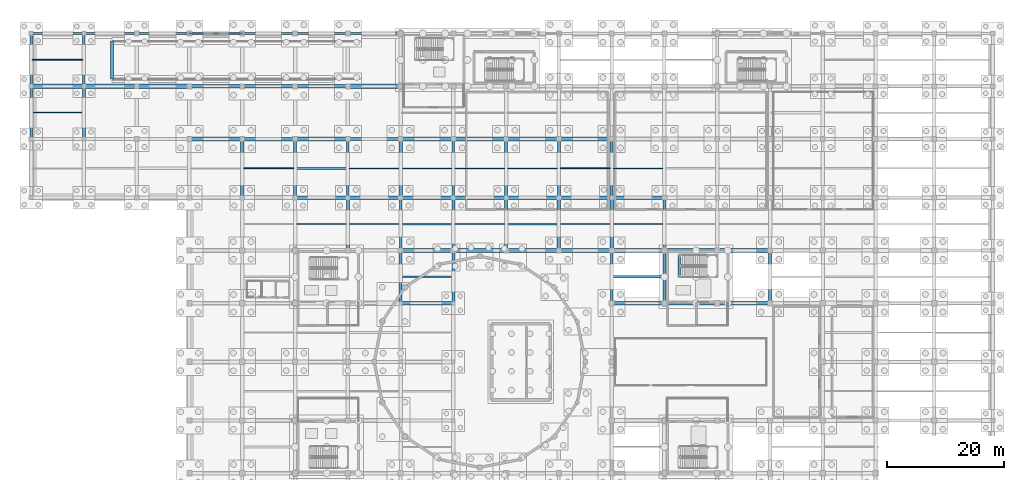
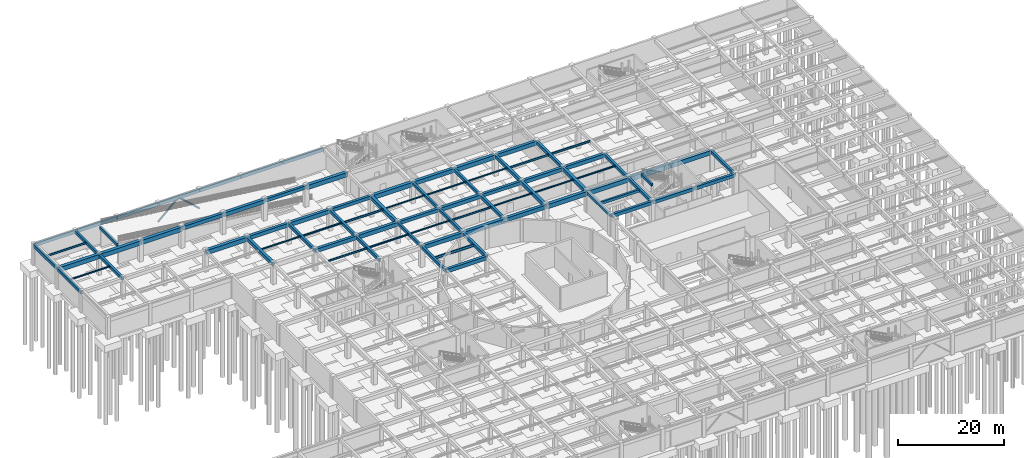
# One storey, part 31 of 62: 85 beams, 2 members.
"""IFC4 building model written with IfcOpenShell, lengths in metres."""

from ifc_helpers import new_model, si_unit, direction, frame, origin, origin_2d, place, context, subcontext, project, spatial, rectangle, hollow_circle, i_section, extrude, material, material_profile, profile_set, type_object, element, save


model = new_model("IFC4")

# Units and contexts
model_context = context("Model", 3, precision=1e-05, world=origin(), true_north=direction((0.0, 1.0)))
body_context = subcontext(model_context, "Body", "Model", "MODEL_VIEW")
ifc_project = project(units=[si_unit("LENGTHUNIT", "METRE"), si_unit("AREAUNIT", "SQUARE_METRE"), si_unit("VOLUMEUNIT", "CUBIC_METRE"), si_unit("PLANEANGLEUNIT", "RADIAN"), si_unit("MASSUNIT", "GRAM", prefix="KILO")], contexts=[model_context])

# Site, building, storey
site_placement = place(None, origin())
site = spatial("IfcSite", under=ifc_project, at=site_placement, CompositionType="ELEMENT")
building_placement = place(site_placement, origin())
building = spatial("IfcBuilding", under=site, at=building_placement, Name="Miravela Opera House", CompositionType="ELEMENT")
storey_placement = place(building_placement, frame((0.0, 0.0, -5.10009765625)))
storey = spatial("IfcBuildingStorey", under=building, at=storey_placement, Name="B01", CompositionType="ELEMENT", Elevation=-5.10009765625)

# Beams
ifc_material_1 = material(Name="Concrete C35/45", Category="concrete")
ifc_material_profile_1 = material_profile(ifc_material_1, rectangle(XDim=0.39990234375, YDim=0.60009765625, at=origin_2d()), Name="RC-BM-400X600")
ifc_profile_set_1 = profile_set([ifc_material_profile_1])
beam_type_1 = type_object("IfcBeamType", Name="STR-BM-RC400X600", PredefinedType="JOIST", material=ifc_profile_set_1)
beam_1_placement = place(storey_placement, frame((99.2099609375, 70.5, 4.47998046875), z_axis=(1.0, 0.0, 0.0), x_axis=(0.0, 1.0, 0.0)))
element("IfcBeam", 1, at=beam_1_placement, inside=storey, type_object=beam_type_1, Name="Secondary Floor Joist B01 12-13/H-I", PredefinedType="JOIST", context=body_context, shape_type="SweptSolid", body=[
    extrude(rectangle(XDim=0.39990234375, YDim=0.60009765625, at=origin_2d()), origin(), (0.0, 0.0, 1.0), 8.554931640625),
])
beam_2_placement = place(storey_placement, frame((110.5400390625, 70.39990234375, 4.800048828125), z_axis=(0.0, 1.0, 0.0), x_axis=(-1.0, 0.0, 0.0)))
element("IfcBeam", 2, at=beam_2_placement, inside=storey, type_object=beam_type_1, Name="Stair K3 Opening Header Trimmer Beam 00", PredefinedType="JOIST", context=body_context, shape_type="SweptSolid", body=[
    extrude(rectangle(XDim=0.39990234375, YDim=0.60009765625, at=origin_2d()), origin(), (0.0, 0.0, 1.0), 3.880126953125),
])
ifc_material_profile_2 = material_profile(ifc_material_1, rectangle(XDim=0.449951171875, YDim=0.64990234375, at=origin_2d()), Name="RC-BM-450X650")
ifc_profile_set_2 = profile_set([ifc_material_profile_2])
beam_type_2 = type_object("IfcBeamType", Name="STR-BM-RC450X650", PredefinedType="BEAM", material=ifc_profile_set_2)
for number, where, z_axis, x_axis, name in (
    (3, (9.0, 103.080078125, 4.4951171875), (0.0, 1.0, 0.0), (-1.0, 0.0, 0.0), "Floor Girder B01 2/L-M"),
    (4, (63.0, 75.080078125, 4.4951171875), (0.0, 1.0, 0.0), (-1.0, 0.0, 0.0), "Floor Girder B01 8/I-J"),
):
    element("IfcBeam", number, at=place(storey_placement, frame(where, z_axis=z_axis, x_axis=x_axis)), inside=storey, type_object=beam_type_2, Name=name, PredefinedType="BEAM", context=body_context, shape_type="SweptSolid", body=[
        extrude(rectangle(XDim=0.449951171875, YDim=0.64990234375, at=origin_2d()), origin(), (0.0, 0.0, 1.0), 8.83984375),
    ])
beam_3_placement = place(storey_placement, frame((72.0, 84.080078125, 4.4951171875), z_axis=(0.0, 1.0, 0.0), x_axis=(-1.0, 0.0, 0.0)))
element("IfcBeam", 5, at=beam_3_placement, inside=storey, type_object=beam_type_2, Name="Floor Girder B01 9/J-K", PredefinedType="BEAM", context=body_context, shape_type="SweptSolid", body=[
    extrude(rectangle(XDim=0.449951171875, YDim=0.64990234375, at=origin_2d()), origin(), (0.0, 0.0, 1.0), 9.83984375),
])
beam_4_placement = place(storey_placement, frame((99.0, 66.080078125, 4.455078125), z_axis=(0.0, 1.0, 0.0), x_axis=(-1.0, 0.0, 0.0)))
element("IfcBeam", 6, at=beam_4_placement, inside=storey, type_object=beam_type_2, Name="Floor Girder B01 12/H-I", PredefinedType="BEAM", context=body_context, shape_type="SweptSolid", body=[
    extrude(rectangle(XDim=0.449951171875, YDim=0.64990234375, at=origin_2d()), origin(), (0.0, 0.0, 1.0), 8.83984375),
])
ifc_material_profile_3 = material_profile(ifc_material_1, rectangle(XDim=0.47998046875, YDim=0.679931640625, at=origin_2d()), Name="RC-BM-480X680")
ifc_profile_set_3 = profile_set([ifc_material_profile_3])
beam_type_3 = type_object("IfcBeamType", Name="STR-BM-RC480X680", PredefinedType="BEAM", material=ifc_profile_set_3)
beam_5_placement = place(storey_placement, frame((9.0, 94.080078125, 4.47998046875), z_axis=(0.0, 1.0, 0.0), x_axis=(-1.0, 0.0, 0.0)))
element("IfcBeam", 7, at=beam_5_placement, inside=storey, type_object=beam_type_3, Name="Floor Girder B01 2/K-L", PredefinedType="BEAM", context=body_context, shape_type="SweptSolid", body=[
    extrude(rectangle(XDim=0.47998046875, YDim=0.679931640625, at=origin_2d()), origin(), (0.0, 0.0, 1.0), 8.83984375),
])
for number, where, z_axis, x_axis, name in (
    (8, (45.0, 84.080078125, 4.489990234375), (0.0, 1.0, 0.0), (-1.0, 0.0, 0.0), "Floor Girder B01 6/J-K"),
    (9, (54.0, 84.080078125, 4.489990234375), (0.0, 1.0, 0.0), (-1.0, 0.0, 0.0), "Floor Girder B01 7/J-K"),
):
    element("IfcBeam", number, at=place(storey_placement, frame(where, z_axis=z_axis, x_axis=x_axis)), inside=storey, type_object=beam_type_3, Name=name, PredefinedType="BEAM", context=body_context, shape_type="SweptSolid", body=[
        extrude(rectangle(XDim=0.47998046875, YDim=0.679931640625, at=origin_2d()), origin(), (0.0, 0.0, 1.0), 9.83984375),
    ])
for number, where, z_axis, x_axis, name in (
    (10, (63.0, 66.080078125, 4.47998046875), (0.0, 1.0, 0.0), (-1.0, 0.0, 0.0), "Floor Girder B01 8/H-I"),
    (11, (72.0, 75.080078125, 4.47998046875), (0.0, 1.0, 0.0), (-1.0, 0.0, 0.0), "Floor Girder B01 9/I-J"),
):
    element("IfcBeam", number, at=place(storey_placement, frame(where, z_axis=z_axis, x_axis=x_axis)), inside=storey, type_object=beam_type_3, Name=name, PredefinedType="BEAM", context=body_context, shape_type="SweptSolid", body=[
        extrude(rectangle(XDim=0.47998046875, YDim=0.679931640625, at=origin_2d()), origin(), (0.0, 0.0, 1.0), 8.83984375),
    ])
beam_6_placement = place(storey_placement, frame((81.0, 84.080078125, 4.47998046875), z_axis=(0.0, 1.0, 0.0), x_axis=(-1.0, 0.0, 0.0)))
element("IfcBeam", 12, at=beam_6_placement, inside=storey, type_object=beam_type_3, Name="Floor Girder B01 10/J-K", PredefinedType="BEAM", context=body_context, shape_type="SweptSolid", body=[
    extrude(rectangle(XDim=0.47998046875, YDim=0.679931640625, at=origin_2d()), origin(), (0.0, 0.0, 1.0), 9.83984375),
])
for number, where, z_axis, x_axis, name in (
    (13, (108.0, 75.080078125, 4.47998046875), (0.0, 1.0, 0.0), (-1.0, 0.0, 0.0), "Floor Girder B01 13/I-J"),
    (14, (126.0, 66.080078125, 4.440185546875), (0.0, 1.0, 0.0), (-1.0, 0.0, 0.0), "Floor Girder B01 15/H-I"),
):
    element("IfcBeam", number, at=place(storey_placement, frame(where, z_axis=z_axis, x_axis=x_axis)), inside=storey, type_object=beam_type_3, Name=name, PredefinedType="BEAM", context=body_context, shape_type="SweptSolid", body=[
        extrude(rectangle(XDim=0.47998046875, YDim=0.679931640625, at=origin_2d()), origin(), (0.0, 0.0, 1.0), 8.83984375),
    ])
ifc_material_profile_4 = material_profile(ifc_material_1, rectangle(XDim=0.5, YDim=0.699951171875, at=origin_2d()), Name="RC-BM-500X700")
ifc_profile_set_4 = profile_set([ifc_material_profile_4])
beam_type_4 = type_object("IfcBeamType", Name="STR-BM-RC500X700", PredefinedType="BEAM", material=ifc_profile_set_4)
for number, where, z_axis, x_axis, name in (
    (15, (54.0, 75.080078125, 4.47021484375), (0.0, 1.0, 0.0), (-1.0, 0.0, 0.0), "Floor Girder B01 7/I-J"),
    (16, (72.0, 66.080078125, 4.43017578125), (0.0, 1.0, 0.0), (-1.0, 0.0, 0.0), "Floor Girder B01 9/H-I"),
    (17, (81.0, 75.080078125, 4.47021484375), (0.0, 1.0, 0.0), (-1.0, 0.0, 0.0), "Floor Girder B01 10/I-J"),
):
    element("IfcBeam", number, at=place(storey_placement, frame(where, z_axis=z_axis, x_axis=x_axis)), inside=storey, type_object=beam_type_4, Name=name, PredefinedType="BEAM", context=body_context, shape_type="SweptSolid", body=[
        extrude(rectangle(XDim=0.5, YDim=0.699951171875, at=origin_2d()), origin(), (0.0, 0.0, 1.0), 8.83984375),
    ])
for number, where, z_axis, x_axis, name in (
    (18, (90.0, 84.080078125, 4.47021484375), (0.0, 1.0, 0.0), (-1.0, 0.0, 0.0), "Floor Girder B01 11/J-K"),
    (19, (99.0, 84.080078125, 4.47021484375), (0.0, 1.0, 0.0), (-1.0, 0.0, 0.0), "Floor Girder B01 12/J-K"),
):
    element("IfcBeam", number, at=place(storey_placement, frame(where, z_axis=z_axis, x_axis=x_axis)), inside=storey, type_object=beam_type_4, Name=name, PredefinedType="BEAM", context=body_context, shape_type="SweptSolid", body=[
        extrude(rectangle(XDim=0.5, YDim=0.699951171875, at=origin_2d()), origin(), (0.0, 0.0, 1.0), 9.83984375),
    ])
beam_7_placement = place(storey_placement, frame((108.0, 66.080078125, 4.43017578125), z_axis=(0.0, 1.0, 0.0), x_axis=(-1.0, 0.0, 0.0)))
element("IfcBeam", 20, at=beam_7_placement, inside=storey, type_object=beam_type_4, Name="Floor Girder B01 13/H-I", PredefinedType="BEAM", context=body_context, shape_type="SweptSolid", body=[
    extrude(rectangle(XDim=0.5, YDim=0.699951171875, at=origin_2d()), origin(), (0.0, 0.0, 1.0), 8.83984375),
])
beam_8_placement = place(storey_placement, frame((13.800048828125, 104.199951171875, 4.41015625), z_axis=(0.0, 1.0, 0.0), x_axis=(-1.0, 0.0, 0.0)))
element("IfcBeam", 21, at=beam_8_placement, inside=storey, type_object=beam_type_4, Name="Vehicle Ramp Top Header Support Beam", PredefinedType="BEAM", context=body_context, shape_type="SweptSolid", body=[
    extrude(rectangle(XDim=0.5, YDim=0.699951171875, at=origin_2d()), origin(), (0.0, 0.0, 1.0), 6.5),
])
ifc_material_profile_5 = material_profile(ifc_material_1, rectangle(XDim=0.550048828125, YDim=0.75, at=origin_2d()), Name="RC-BM-550X750")
ifc_profile_set_5 = profile_set([ifc_material_profile_5])
beam_type_5 = type_object("IfcBeamType", Name="STR-BM-RC550X750", PredefinedType="BEAM", material=ifc_profile_set_5)
for number, where, z_axis, x_axis, name in (
    (22, (45.080078125, 103.0, 4.445068359375), (1.0, 0.0, 0.0), (0.0, 1.0, 0.0), "Floor Girder B01 6-7/L"),
    (23, (54.080078125, 94.0, 4.455078125), (1.0, 0.0, 0.0), (0.0, 1.0, 0.0), "Floor Girder B01 7-8/K"),
    (24, (63.080078125, 84.0, 4.445068359375), (1.0, 0.0, 0.0), (0.0, 1.0, 0.0), "Floor Girder B01 8-9/J"),
    (25, (81.080078125, 84.0, 4.445068359375), (1.0, 0.0, 0.0), (0.0, 1.0, 0.0), "Floor Girder B01 10-11/J"),
    (26, (99.080078125, 66.0, 4.405029296875), (1.0, 0.0, 0.0), (0.0, 1.0, 0.0), "Floor Girder B01 12-13/H"),
    (27, (108.080078125, 66.0, 4.405029296875), (1.0, 0.0, 0.0), (0.0, 1.0, 0.0), "Floor Girder B01 13-14/H"),
    (28, (117.080078125, 66.0, 4.405029296875), (1.0, 0.0, 0.0), (0.0, 1.0, 0.0), "Floor Girder B01 14-15/H"),
):
    element("IfcBeam", number, at=place(storey_placement, frame(where, z_axis=z_axis, x_axis=x_axis)), inside=storey, type_object=beam_type_5, Name=name, PredefinedType="BEAM", context=body_context, shape_type="SweptSolid", body=[
        extrude(rectangle(XDim=0.550048828125, YDim=0.75, at=origin_2d()), origin(), (0.0, 0.0, 1.0), 8.83984375),
    ])
ifc_material_2 = material(Name="Concrete C40/50", Category="concrete")
ifc_material_profile_6 = material_profile(ifc_material_2, rectangle(XDim=0.60009765625, YDim=0.85009765625, at=origin_2d()), Name="RC-BM-600X850")
ifc_profile_set_6 = profile_set([ifc_material_profile_6])
beam_type_6 = type_object("IfcBeamType", Name="STR-BM-RC600X850", PredefinedType="BEAM", material=ifc_profile_set_6)
for number, where, z_axis, x_axis, name in (
    (29, (27.080078125, 103.0, 4.39501953125), (1.0, 0.0, 0.0), (0.0, 1.0, 0.0), "Floor Girder B01 4-5/L"),
    (30, (36.080078125, 94.0, 4.405029296875), (1.0, 0.0, 0.0), (0.0, 1.0, 0.0), "Floor Girder B01 5-6/K"),
    (31, (45.080078125, 84.0, 4.39501953125), (1.0, 0.0, 0.0), (0.0, 1.0, 0.0), "Floor Girder B01 6-7/J"),
    (32, (63.080078125, 66.0, 4.35498046875), (1.0, 0.0, 0.0), (0.0, 1.0, 0.0), "Floor Girder B01 8-9/H"),
    (33, (72.080078125, 84.0, 4.39501953125), (1.0, 0.0, 0.0), (0.0, 1.0, 0.0), "Floor Girder B01 9-10/J"),
    (34, (90.080078125, 84.0, 4.39501953125), (1.0, 0.0, 0.0), (0.0, 1.0, 0.0), "Floor Girder B01 11-12/J"),
    (35, (99.080078125, 84.0, 4.39501953125), (1.0, 0.0, 0.0), (0.0, 1.0, 0.0), "Floor Girder B01 12-13/J"),
):
    element("IfcBeam", number, at=place(storey_placement, frame(where, z_axis=z_axis, x_axis=x_axis)), inside=storey, type_object=beam_type_6, Name=name, PredefinedType="BEAM", context=body_context, shape_type="SweptSolid", body=[
        extrude(rectangle(XDim=0.60009765625, YDim=0.85009765625, at=origin_2d()), origin(), (0.0, 0.0, 1.0), 8.83984375),
    ])
for number, where, z_axis, x_axis, name in (
    (36, (36.0, 84.080078125, 4.405029296875), (0.0, 1.0, 0.0), (-1.0, 0.0, 0.0), "Floor Girder B01 5/J-K"),
    (37, (63.0, 84.080078125, 4.39501953125), (0.0, 1.0, 0.0), (-1.0, 0.0, 0.0), "Floor Girder B01 8/J-K"),
):
    element("IfcBeam", number, at=place(storey_placement, frame(where, z_axis=z_axis, x_axis=x_axis)), inside=storey, type_object=beam_type_6, Name=name, PredefinedType="BEAM", context=body_context, shape_type="SweptSolid", body=[
        extrude(rectangle(XDim=0.60009765625, YDim=0.85009765625, at=origin_2d()), origin(), (0.0, 0.0, 1.0), 9.83984375),
    ])
for number, where, z_axis, x_axis, name in (
    (38, (90.0, 75.080078125, 4.39501953125), (0.0, 1.0, 0.0), (-1.0, 0.0, 0.0), "Floor Girder B01 11/I-J"),
    (39, (99.0, 75.080078125, 4.39501953125), (0.0, 1.0, 0.0), (-1.0, 0.0, 0.0), "Floor Girder B01 12/I-J"),
):
    element("IfcBeam", number, at=place(storey_placement, frame(where, z_axis=z_axis, x_axis=x_axis)), inside=storey, type_object=beam_type_6, Name=name, PredefinedType="BEAM", context=body_context, shape_type="SweptSolid", body=[
        extrude(rectangle(XDim=0.60009765625, YDim=0.85009765625, at=origin_2d()), origin(), (0.0, 0.0, 1.0), 8.83984375),
    ])
ifc_material_profile_7 = material_profile(ifc_material_2, rectangle(XDim=0.64990234375, YDim=0.89990234375, at=origin_2d()), Name="RC-BM-650X900")
ifc_profile_set_7 = profile_set([ifc_material_profile_7])
beam_type_7 = type_object("IfcBeamType", Name="STR-BM-RC650X900", PredefinedType="BEAM", material=ifc_profile_set_7)
for number, where, z_axis, x_axis, name in (
    (40, (36.080078125, 103.0, 4.3701171875), (1.0, 0.0, 0.0), (0.0, 1.0, 0.0), "Floor Girder B01 5-6/L"),
    (41, (45.080078125, 94.0, 4.380126953125), (1.0, 0.0, 0.0), (0.0, 1.0, 0.0), "Floor Girder B01 6-7/K"),
    (42, (54.080078125, 84.0, 4.3701171875), (1.0, 0.0, 0.0), (0.0, 1.0, 0.0), "Floor Girder B01 7-8/J"),
    (43, (63.080078125, 75.0, 4.330078125), (1.0, 0.0, 0.0), (0.0, 1.0, 0.0), "Floor Girder B01 8-9/I"),
    (44, (72.080078125, 94.0, 4.3701171875), (1.0, 0.0, 0.0), (0.0, 1.0, 0.0), "Floor Girder B01 9-10/K"),
    (45, (81.080078125, 75.0, 4.330078125), (1.0, 0.0, 0.0), (0.0, 1.0, 0.0), "Floor Girder B01 10-11/I"),
    (46, (90.080078125, 94.0, 4.3701171875), (1.0, 0.0, 0.0), (0.0, 1.0, 0.0), "Floor Girder B01 11-12/K"),
):
    element("IfcBeam", number, at=place(storey_placement, frame(where, z_axis=z_axis, x_axis=x_axis)), inside=storey, type_object=beam_type_7, Name=name, PredefinedType="BEAM", context=body_context, shape_type="SweptSolid", body=[
        extrude(rectangle(XDim=0.64990234375, YDim=0.89990234375, at=origin_2d()), origin(), (0.0, 0.0, 1.0), 8.83984375),
    ])
ifc_material_profile_8 = material_profile(ifc_material_2, rectangle(XDim=0.699951171875, YDim=1.0, at=origin_2d()), Name="RC-BM-700X1000")
ifc_profile_set_8 = profile_set([ifc_material_profile_8])
beam_type_8 = type_object("IfcBeamType", Name="STR-BM-RC700X1000", PredefinedType="BEAM", material=ifc_profile_set_8)
for number, where, z_axis, x_axis, name in (
    (47, (0.080078125, 103.0, 4.320068359375), (1.0, 0.0, 0.0), (0.0, 1.0, 0.0), "Floor Girder B01 1-2/L"),
    (48, (9.080078125, 103.0, 4.320068359375), (1.0, 0.0, 0.0), (0.0, 1.0, 0.0), "Floor Girder B01 2-3/L"),
    (49, (18.080078125, 103.0, 4.320068359375), (1.0, 0.0, 0.0), (0.0, 1.0, 0.0), "Floor Girder B01 3-4/L"),
    (50, (27.080078125, 94.0, 4.330078125), (1.0, 0.0, 0.0), (0.0, 1.0, 0.0), "Floor Girder B01 4-5/K"),
    (51, (54.080078125, 103.0, 4.320068359375), (1.0, 0.0, 0.0), (0.0, 1.0, 0.0), "Floor Girder B01 7-8/L"),
    (52, (63.080078125, 94.0, 4.320068359375), (1.0, 0.0, 0.0), (0.0, 1.0, 0.0), "Floor Girder B01 8-9/K"),
    (53, (72.080078125, 75.0, 4.280029296875), (1.0, 0.0, 0.0), (0.0, 1.0, 0.0), "Floor Girder B01 9-10/I"),
    (54, (81.080078125, 94.0, 4.320068359375), (1.0, 0.0, 0.0), (0.0, 1.0, 0.0), "Floor Girder B01 10-11/K"),
    (55, (90.080078125, 75.0, 4.280029296875), (1.0, 0.0, 0.0), (0.0, 1.0, 0.0), "Floor Girder B01 11-12/I"),
    (56, (99.080078125, 75.0, 4.280029296875), (1.0, 0.0, 0.0), (0.0, 1.0, 0.0), "Floor Girder B01 12-13/I"),
    (57, (108.080078125, 75.0, 4.280029296875), (1.0, 0.0, 0.0), (0.0, 1.0, 0.0), "Floor Girder B01 13-14/I"),
    (58, (117.080078125, 75.0, 4.280029296875), (1.0, 0.0, 0.0), (0.0, 1.0, 0.0), "Floor Girder B01 14-15/I"),
):
    element("IfcBeam", number, at=place(storey_placement, frame(where, z_axis=z_axis, x_axis=x_axis)), inside=storey, type_object=beam_type_8, Name=name, PredefinedType="BEAM", context=body_context, shape_type="SweptSolid", body=[
        extrude(rectangle(XDim=0.699951171875, YDim=1.0, at=origin_2d()), origin(), (0.0, 0.0, 1.0), 8.83984375),
    ])
ifc_material_3 = material(Name="Structural steel ASTM A992 Gr. 50", Category="steel")
ifc_material_profile_9 = material_profile(ifc_material_3, i_section(OverallWidth=0.1650390625, OverallDepth=0.200927734375, WebThickness=0.006103515625, FlangeThickness=0.01025390625, FilletRadius=0.010009765625, at=origin_2d()), Name="W200X36")
ifc_profile_set_9 = profile_set([ifc_material_profile_9])
beam_type_9 = type_object("IfcBeamType", Name="STR-BM-W200X36", PredefinedType="LINTEL", material=ifc_profile_set_9)
beam_9_placement = place(storey_placement, frame((36.284912109375, 89.0, 4.7294921875), z_axis=(1.0, 0.0, 0.0), x_axis=(0.0, 1.0, 0.0)))
element("IfcBeam", 59, at=beam_9_placement, inside=storey, type_object=beam_type_9, Name="Secondary Floor Joist B01 5-6/J-K", PredefinedType="LINTEL", context=body_context, shape_type="SweptSolid", body=[
    extrude(i_section(OverallWidth=0.1650390625, OverallDepth=0.200927734375, WebThickness=0.006103515625, FlangeThickness=0.01025390625, FilletRadius=0.010009765625, at=origin_2d()), origin(), (0.0, 0.0, 1.0), 8.489990234375),
])
ifc_material_profile_10 = material_profile(ifc_material_3, i_section(OverallWidth=0.201904296875, OverallDepth=0.2470703125, WebThickness=0.00732421875, FlangeThickness=0.010986328125, FilletRadius=0.011962890625, at=origin_2d()), Name="W250X49")
ifc_profile_set_10 = profile_set([ifc_material_profile_10])
beam_type_10 = type_object("IfcBeamType", Name="STR-BM-W250X49", PredefinedType="LINTEL", material=ifc_profile_set_10)
beam_10_placement = place(storey_placement, frame((63.284912109375, 89.0, 4.696533203125), z_axis=(1.0, 0.0, 0.0), x_axis=(0.0, 1.0, 0.0)))
element("IfcBeam", 60, at=beam_10_placement, inside=storey, type_object=beam_type_10, Name="Secondary Floor Joist B01 8-9/J-K", PredefinedType="LINTEL", context=body_context, shape_type="SweptSolid", body=[
    extrude(i_section(OverallWidth=0.201904296875, OverallDepth=0.2470703125, WebThickness=0.00732421875, FlangeThickness=0.010986328125, FilletRadius=0.011962890625, at=origin_2d()), origin(), (0.0, 0.0, 1.0), 8.505126953125),
])
beam_11_placement = place(storey_placement, frame((81.22509765625, 89.0, 4.696533203125), z_axis=(1.0, 0.0, 0.0), x_axis=(0.0, 1.0, 0.0)))
element("IfcBeam", 61, at=beam_11_placement, inside=storey, type_object=beam_type_10, Name="Secondary Floor Joist B01 10-11/J-K", PredefinedType="LINTEL", context=body_context, shape_type="SweptSolid", body=[
    extrude(i_section(OverallWidth=0.201904296875, OverallDepth=0.2470703125, WebThickness=0.00732421875, FlangeThickness=0.010986328125, FilletRadius=0.011962890625, at=origin_2d()), origin(), (0.0, 0.0, 1.0), 8.539794921875),
])
ifc_material_profile_11 = material_profile(ifc_material_3, i_section(OverallWidth=0.25390625, OverallDepth=0.2529296875, WebThickness=0.008544921875, FlangeThickness=0.01416015625, FilletRadius=0.011962890625, at=origin_2d()), Name="W250X73")
ifc_profile_set_11 = profile_set([ifc_material_profile_11])
beam_type_11 = type_object("IfcBeamType", Name="STR-BM-W250X73", PredefinedType="JOIST", material=ifc_profile_set_11)
beam_12_placement = place(storey_placement, frame((63.2099609375, 79.5, 4.693603515625), z_axis=(1.0, 0.0, 0.0), x_axis=(0.0, 1.0, 0.0)))
element("IfcBeam", 62, at=beam_12_placement, inside=storey, type_object=beam_type_11, Name="Secondary Floor Joist B01 8-9/I-J", PredefinedType="JOIST", context=body_context, shape_type="SweptSolid", body=[
    extrude(i_section(OverallWidth=0.25390625, OverallDepth=0.2529296875, WebThickness=0.008544921875, FlangeThickness=0.01416015625, FilletRadius=0.011962890625, at=origin_2d()), origin(), (0.0, 0.0, 1.0), 8.56494140625),
])
beam_13_placement = place(storey_placement, frame((81.235107421875, 79.5, 4.693603515625), z_axis=(1.0, 0.0, 0.0), x_axis=(0.0, 1.0, 0.0)))
element("IfcBeam", 63, at=beam_13_placement, inside=storey, type_object=beam_type_11, Name="Secondary Floor Joist B01 10-11/I-J", PredefinedType="JOIST", context=body_context, shape_type="SweptSolid", body=[
    extrude(i_section(OverallWidth=0.25390625, OverallDepth=0.2529296875, WebThickness=0.008544921875, FlangeThickness=0.01416015625, FilletRadius=0.011962890625, at=origin_2d()), origin(), (0.0, 0.0, 1.0), 8.47998046875),
])
ifc_material_profile_12 = material_profile(ifc_material_3, i_section(OverallWidth=0.202880859375, OverallDepth=0.302978515625, WebThickness=0.007568359375, FlangeThickness=0.01318359375, FilletRadius=0.012939453125, at=origin_2d()), Name="W310X60")
ifc_profile_set_12 = profile_set([ifc_material_profile_12])
beam_type_12 = type_object("IfcBeamType", Name="STR-BM-W310X60", PredefinedType="JOIST", material=ifc_profile_set_12)
beam_14_placement = place(storey_placement, frame((0.18505859375, 98.5, 4.668701171875), z_axis=(1.0, 0.0, 0.0), x_axis=(0.0, 1.0, 0.0)))
element("IfcBeam", 64, at=beam_14_placement, inside=storey, type_object=beam_type_12, Name="Secondary Floor Joist B01 1-2/K-L", PredefinedType="JOIST", context=body_context, shape_type="SweptSolid", body=[
    extrude(i_section(OverallWidth=0.202880859375, OverallDepth=0.302978515625, WebThickness=0.007568359375, FlangeThickness=0.01318359375, FilletRadius=0.012939453125, at=origin_2d()), origin(), (0.0, 0.0, 1.0), 8.58984375),
])
beam_15_placement = place(storey_placement, frame((72.2099609375, 89.0, 4.668701171875), z_axis=(1.0, 0.0, 0.0), x_axis=(0.0, 1.0, 0.0)))
element("IfcBeam", 65, at=beam_15_placement, inside=storey, type_object=beam_type_12, Name="Secondary Floor Joist B01 9-10/J-K", PredefinedType="JOIST", context=body_context, shape_type="SweptSolid", body=[
    extrude(i_section(OverallWidth=0.202880859375, OverallDepth=0.302978515625, WebThickness=0.007568359375, FlangeThickness=0.01318359375, FilletRadius=0.012939453125, at=origin_2d()), origin(), (0.0, 0.0, 1.0), 8.56494140625),
])
beam_16_placement = place(storey_placement, frame((90.284912109375, 79.5, 4.668701171875), z_axis=(1.0, 0.0, 0.0), x_axis=(0.0, 1.0, 0.0)))
element("IfcBeam", 66, at=beam_16_placement, inside=storey, type_object=beam_type_12, Name="Secondary Floor Joist B01 11-12/I-J", PredefinedType="JOIST", context=body_context, shape_type="SweptSolid", body=[
    extrude(i_section(OverallWidth=0.202880859375, OverallDepth=0.302978515625, WebThickness=0.007568359375, FlangeThickness=0.01318359375, FilletRadius=0.012939453125, at=origin_2d()), origin(), (0.0, 0.0, 1.0), 8.43017578125),
])
ifc_material_profile_13 = material_profile(ifc_material_3, i_section(OverallWidth=0.304931640625, OverallDepth=0.30810546875, WebThickness=0.010009765625, FlangeThickness=0.015380859375, FilletRadius=0.013916015625, at=origin_2d()), Name="W310X97")
ifc_profile_set_13 = profile_set([ifc_material_profile_13])
beam_type_13 = type_object("IfcBeamType", Name="STR-BM-W310X97", PredefinedType="JOIST", material=ifc_profile_set_13)
beam_17_placement = place(storey_placement, frame((45.22509765625, 89.0, 4.676025390625), z_axis=(1.0, 0.0, 0.0), x_axis=(0.0, 1.0, 0.0)))
element("IfcBeam", 67, at=beam_17_placement, inside=storey, type_object=beam_type_13, Name="Secondary Floor Joist B01 6-7/J-K", PredefinedType="JOIST", context=body_context, shape_type="SweptSolid", body=[
    extrude(i_section(OverallWidth=0.304931640625, OverallDepth=0.30810546875, WebThickness=0.010009765625, FlangeThickness=0.015380859375, FilletRadius=0.013916015625, at=origin_2d()), origin(), (0.0, 0.0, 1.0), 8.5498046875),
])
ifc_material_profile_14 = material_profile(ifc_material_3, i_section(OverallWidth=0.2041015625, OverallDepth=0.35009765625, WebThickness=0.008544921875, FlangeThickness=0.01513671875, FilletRadius=0.013916015625, at=origin_2d()), Name="W360X72")
ifc_profile_set_14 = profile_set([ifc_material_profile_14])
beam_type_14 = type_object("IfcBeamType", Name="STR-BM-W360X72", PredefinedType="JOIST", material=ifc_profile_set_14)
beam_18_placement = place(storey_placement, frame((54.235107421875, 79.5, 4.64501953125), z_axis=(1.0, 0.0, 0.0), x_axis=(0.0, 1.0, 0.0)))
element("IfcBeam", 68, at=beam_18_placement, inside=storey, type_object=beam_type_14, Name="Secondary Floor Joist B01 7-8/I-J", PredefinedType="JOIST", context=body_context, shape_type="SweptSolid", body=[
    extrude(i_section(OverallWidth=0.2041015625, OverallDepth=0.35009765625, WebThickness=0.008544921875, FlangeThickness=0.01513671875, FilletRadius=0.013916015625, at=origin_2d()), origin(), (0.0, 0.0, 1.0), 8.554931640625),
])
beam_19_placement = place(storey_placement, frame((99.284912109375, 79.5, 4.64501953125), z_axis=(1.0, 0.0, 0.0), x_axis=(0.0, 1.0, 0.0)))
element("IfcBeam", 69, at=beam_19_placement, inside=storey, type_object=beam_type_14, Name="Secondary Floor Joist B01 12-13/I-J", PredefinedType="JOIST", context=body_context, shape_type="SweptSolid", body=[
    extrude(i_section(OverallWidth=0.2041015625, OverallDepth=0.35009765625, WebThickness=0.008544921875, FlangeThickness=0.01513671875, FilletRadius=0.013916015625, at=origin_2d()), origin(), (0.0, 0.0, 1.0), 8.489990234375),
])
ifc_material_profile_15 = material_profile(ifc_material_3, i_section(OverallWidth=0.177978515625, OverallDepth=0.406982421875, WebThickness=0.0078125, FlangeThickness=0.0126953125, FilletRadius=0.012939453125, at=origin_2d()), Name="W410X60")
ifc_profile_set_15 = profile_set([ifc_material_profile_15])
beam_type_15 = type_object("IfcBeamType", Name="STR-BM-W410X60", PredefinedType="JOIST", material=ifc_profile_set_15)
beam_20_placement = place(storey_placement, frame((45.235107421875, 79.5, 4.61669921875), z_axis=(1.0, 0.0, 0.0), x_axis=(0.0, 1.0, 0.0)))
element("IfcBeam", 70, at=beam_20_placement, inside=storey, type_object=beam_type_15, Name="Secondary Floor Joist B01 6-7/I-J", PredefinedType="JOIST", context=body_context, shape_type="SweptSolid", body=[
    extrude(i_section(OverallWidth=0.177978515625, OverallDepth=0.406982421875, WebThickness=0.0078125, FlangeThickness=0.0126953125, FilletRadius=0.012939453125, at=origin_2d()), origin(), (0.0, 0.0, 1.0), 8.52978515625),
])
ifc_material_profile_16 = material_profile(ifc_material_3, i_section(OverallWidth=0.180908203125, OverallDepth=0.4169921875, WebThickness=0.010986328125, FlangeThickness=0.018310546875, FilletRadius=0.013916015625, at=origin_2d()), Name="W410X85")
ifc_profile_set_16 = profile_set([ifc_material_profile_16])
beam_type_16 = type_object("IfcBeamType", Name="STR-BM-W410X85", PredefinedType="JOIST", material=ifc_profile_set_16)
beam_21_placement = place(storey_placement, frame((72.22509765625, 79.5, 4.611572265625), z_axis=(1.0, 0.0, 0.0), x_axis=(0.0, 1.0, 0.0)))
element("IfcBeam", 71, at=beam_21_placement, inside=storey, type_object=beam_type_16, Name="Secondary Floor Joist B01 9-10/I-J", PredefinedType="JOIST", context=body_context, shape_type="SweptSolid", body=[
    extrude(i_section(OverallWidth=0.180908203125, OverallDepth=0.4169921875, WebThickness=0.010986328125, FlangeThickness=0.018310546875, FilletRadius=0.013916015625, at=origin_2d()), origin(), (0.0, 0.0, 1.0), 8.539794921875),
])
ifc_material_profile_17 = material_profile(ifc_material_3, i_section(OverallWidth=0.154052734375, OverallDepth=0.458984375, WebThickness=0.009033203125, FlangeThickness=0.015380859375, FilletRadius=0.013916015625, at=origin_2d()), Name="W460X68")
ifc_profile_set_17 = profile_set([ifc_material_profile_17])
beam_type_17 = type_object("IfcBeamType", Name="STR-BM-W460X68", PredefinedType="JOIST", material=ifc_profile_set_17)
beam_22_placement = place(storey_placement, frame((0.18505859375, 107.5, 4.590576171875), z_axis=(1.0, 0.0, 0.0), x_axis=(0.0, 1.0, 0.0)))
element("IfcBeam", 72, at=beam_22_placement, inside=storey, type_object=beam_type_17, Name="Secondary Floor Joist B01 1-2/L-M", PredefinedType="JOIST", context=body_context, shape_type="SweptSolid", body=[
    extrude(i_section(OverallWidth=0.154052734375, OverallDepth=0.458984375, WebThickness=0.009033203125, FlangeThickness=0.015380859375, FilletRadius=0.013916015625, at=origin_2d()), origin(), (0.0, 0.0, 1.0), 8.60498046875),
])
beam_23_placement = place(storey_placement, frame((90.235107421875, 89.0, 4.590576171875), z_axis=(1.0, 0.0, 0.0), x_axis=(0.0, 1.0, 0.0)))
element("IfcBeam", 73, at=beam_23_placement, inside=storey, type_object=beam_type_17, Name="Secondary Floor Joist B01 11-12/J-K", PredefinedType="JOIST", context=body_context, shape_type="SweptSolid", body=[
    extrude(i_section(OverallWidth=0.154052734375, OverallDepth=0.458984375, WebThickness=0.009033203125, FlangeThickness=0.015380859375, FilletRadius=0.013916015625, at=origin_2d()), origin(), (0.0, 0.0, 1.0), 8.52978515625),
])
ifc_material_profile_18 = material_profile(ifc_material_3, i_section(OverallWidth=0.19091796875, OverallDepth=0.4599609375, WebThickness=0.010009765625, FlangeThickness=0.01611328125, FilletRadius=0.014892578125, at=origin_2d()), Name="W460X82")
ifc_profile_set_18 = profile_set([ifc_material_profile_18])
beam_type_18 = type_object("IfcBeamType", Name="STR-BM-W460X82", PredefinedType="JOIST", material=ifc_profile_set_18)
beam_24_placement = place(storey_placement, frame((54.22509765625, 89.0, 4.60009765625), z_axis=(1.0, 0.0, 0.0), x_axis=(0.0, 1.0, 0.0)))
element("IfcBeam", 74, at=beam_24_placement, inside=storey, type_object=beam_type_18, Name="Secondary Floor Joist B01 7-8/J-K", PredefinedType="JOIST", context=body_context, shape_type="SweptSolid", body=[
    extrude(i_section(OverallWidth=0.19091796875, OverallDepth=0.4599609375, WebThickness=0.010009765625, FlangeThickness=0.01611328125, FilletRadius=0.014892578125, at=origin_2d()), origin(), (0.0, 0.0, 1.0), 8.489990234375),
])
beam_25_placement = place(storey_placement, frame((99.235107421875, 89.0, 4.590087890625), z_axis=(1.0, 0.0, 0.0), x_axis=(0.0, 1.0, 0.0)))
element("IfcBeam", 75, at=beam_25_placement, inside=storey, type_object=beam_type_18, Name="Secondary Floor Joist B01 12-13/J-K", PredefinedType="JOIST", context=body_context, shape_type="SweptSolid", body=[
    extrude(i_section(OverallWidth=0.19091796875, OverallDepth=0.4599609375, WebThickness=0.010009765625, FlangeThickness=0.01611328125, FilletRadius=0.014892578125, at=origin_2d()), origin(), (0.0, 0.0, 1.0), 8.554931640625),
])
ifc_material_profile_19 = material_profile(ifc_material_3, i_section(OverallWidth=0.22802734375, OverallDepth=0.60791015625, WebThickness=0.01123046875, FlangeThickness=0.017333984375, FilletRadius=0.01611328125, at=origin_2d()), Name="W610X113")
ifc_profile_set_19 = profile_set([ifc_material_profile_19])
beam_type_19 = type_object("IfcBeamType", Name="STR-BM-W610X113", PredefinedType="BEAM", material=ifc_profile_set_19)
beam_26_placement = place(storey_placement, frame((63.22509765625, 70.5, 4.47607421875), z_axis=(1.0, 0.0, 0.0), x_axis=(0.0, 1.0, 0.0)))
element("IfcBeam", 76, at=beam_26_placement, inside=storey, type_object=beam_type_19, Name="Secondary Floor Joist B01 8-9/H-I", PredefinedType="BEAM", context=body_context, shape_type="SweptSolid", body=[
    extrude(i_section(OverallWidth=0.22802734375, OverallDepth=0.60791015625, WebThickness=0.01123046875, FlangeThickness=0.017333984375, FilletRadius=0.01611328125, at=origin_2d()), origin(), (0.0, 0.0, 1.0), 8.539794921875),
])

# Members
ifc_material_4 = material(Name="Hollow structural steel ASTM A500 Gr. C", Category="steel")
ifc_material_profile_20 = material_profile(ifc_material_4, hollow_circle(Radius=0.203125, WallThickness=0.011962890625, at=origin_2d()), Name="CHS406X12")
ifc_profile_set_20 = profile_set([ifc_material_profile_20])
member_type = type_object("IfcMemberType", Name="STR-MEM-BRACE-CHS406", PredefinedType="BRACE", material=ifc_profile_set_20)
for number, where, z_axis, x_axis, name in (
    (77, (27.0, 112.0, 0.300048828125), (0.736735892782, 0.0, 0.676180615137), (0.0, 1.0, 0.0), "Concentric Braced Frame BF-N1 B01 Left Brace"),
    (78, (36.0, 112.0, 0.300048828125), (-0.736735892782, 0.0, 0.676180615137), (0.0, -1.0, 0.0), "Concentric Braced Frame BF-N1 B01 Right Brace"),
):
    element("IfcMember", number, at=place(storey_placement, frame(where, z_axis=z_axis, x_axis=x_axis)), inside=storey, type_object=member_type, Name=name, PredefinedType="BRACE", context=body_context, shape_type="SweptSolid", body=[
        extrude(hollow_circle(Radius=0.203125, WallThickness=0.011962890625, at=origin_2d()), origin(), (0.0, 0.0, 1.0), 6.10791015625),
    ])

# Beams
ifc_material_profile_21 = material_profile(ifc_material_1, rectangle(XDim=0.39990234375, YDim=0.75, at=origin_2d()), Name="RC-SPN-400X750")
ifc_profile_set_21 = profile_set([ifc_material_profile_21])
beam_type_20 = type_object("IfcBeamType", Name="STR-SPN-RC400X750", PredefinedType="SPANDREL", material=ifc_profile_set_21)
for number, where, z_axis, x_axis, name in (
    (79, (0.080078125, 112.0, 4.445068359375), (1.0, 0.0, 0.0), (0.0, 1.0, 0.0), "Floor Girder B01 1-2/M"),
    (80, (9.080078125, 112.0, 4.445068359375), (1.0, 0.0, 0.0), (0.0, 1.0, 0.0), "Floor Girder B01 2-3/M"),
    (81, (18.080078125, 112.0, 4.445068359375), (1.0, 0.0, 0.0), (0.0, 1.0, 0.0), "Floor Girder B01 3-4/M"),
    (82, (27.080078125, 112.0, 4.445068359375), (1.0, 0.0, 0.0), (0.0, 1.0, 0.0), "Floor Girder B01 4-5/M"),
    (83, (36.080078125, 112.0, 4.445068359375), (1.0, 0.0, 0.0), (0.0, 1.0, 0.0), "Floor Girder B01 5-6/M"),
    (84, (45.080078125, 112.0, 4.445068359375), (1.0, 0.0, 0.0), (0.0, 1.0, 0.0), "Floor Girder B01 6-7/M"),
    (85, (54.080078125, 112.0, 4.445068359375), (1.0, 0.0, 0.0), (0.0, 1.0, 0.0), "Floor Girder B01 7-8/M"),
    (86, (0.0, 94.080078125, 4.445068359375), (0.0, 1.0, 0.0), (-1.0, 0.0, 0.0), "Floor Girder B01 1/K-L"),
    (87, (0.0, 103.080078125, 4.445068359375), (0.0, 1.0, 0.0), (-1.0, 0.0, 0.0), "Floor Girder B01 1/L-M"),
):
    element("IfcBeam", number, at=place(storey_placement, frame(where, z_axis=z_axis, x_axis=x_axis)), inside=storey, type_object=beam_type_20, Name=name, PredefinedType="SPANDREL", context=body_context, shape_type="SweptSolid", body=[
        extrude(rectangle(XDim=0.39990234375, YDim=0.75, at=origin_2d()), origin(), (0.0, 0.0, 1.0), 8.83984375),
    ])

save(model, "model.ifc")
